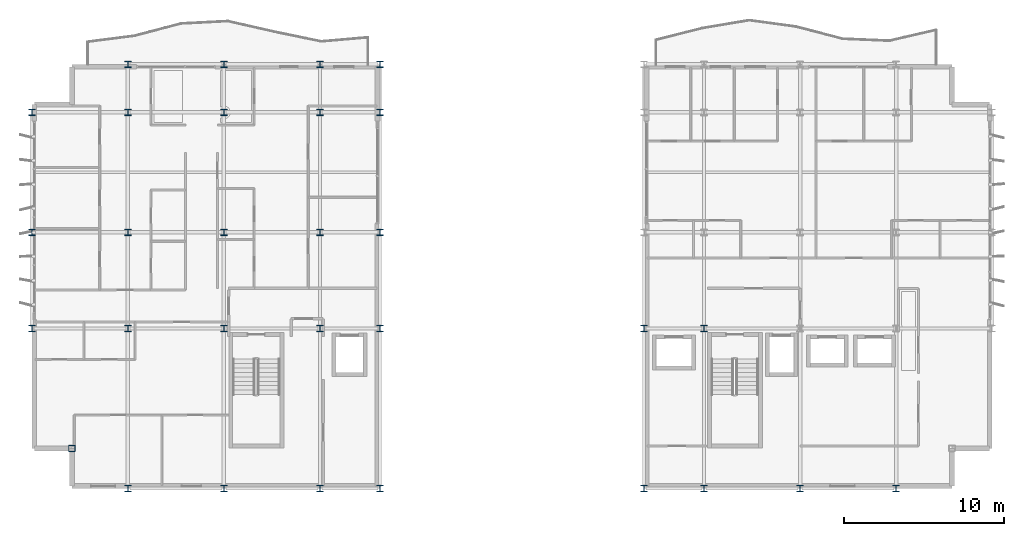
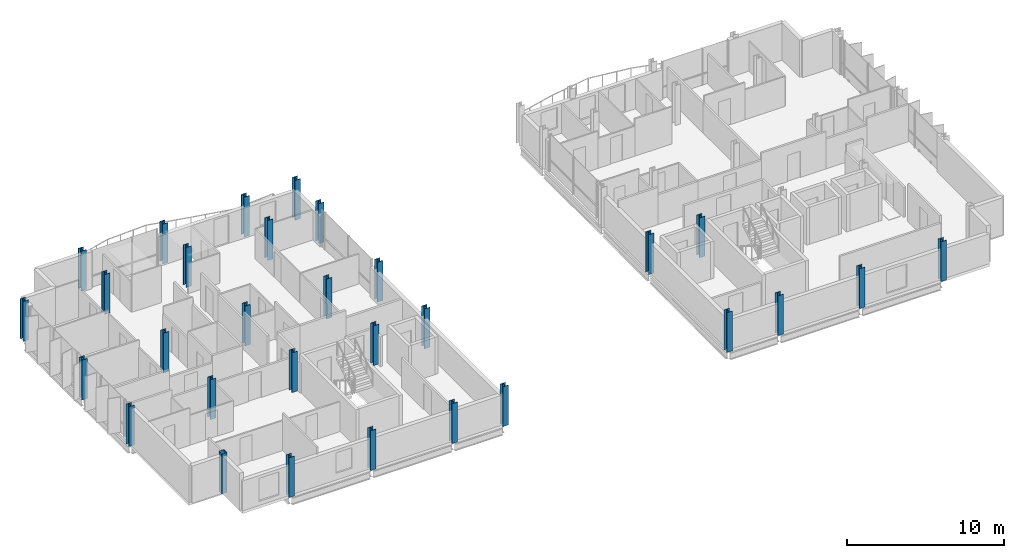
# One storey, part 1 of 28: 30 columns.
"""IFC4 building model written with IfcOpenShell, lengths in metres."""

from ifc_helpers import new_model, si_unit, direction, frame, origin, origin_2d, place, context, subcontext, project, spatial, hollow_rectangle, i_section, extrude, material, material_profile, profile_set, type_object, element, save


model = new_model("IFC4")

# Units and contexts
model_context = context("Model", 3, precision=1e-05, world=origin(), true_north=direction((0.0, 1.0)))
body_context = subcontext(model_context, "Body", "Model", "MODEL_VIEW")
ifc_project = project(units=[si_unit("LENGTHUNIT", "METRE"), si_unit("AREAUNIT", "SQUARE_METRE"), si_unit("VOLUMEUNIT", "CUBIC_METRE"), si_unit("PLANEANGLEUNIT", "RADIAN"), si_unit("MASSUNIT", "GRAM", prefix="KILO")], contexts=[model_context])

# Site, building, storey
site_placement = place(None, origin())
site = spatial("IfcSite", under=ifc_project, at=site_placement, CompositionType="ELEMENT")
building_placement = place(site_placement, origin())
building = spatial("IfcBuilding", under=site, at=building_placement, Name="Brevholm Reach", CompositionType="ELEMENT")
storey_placement = place(building_placement, frame((0.0, 0.0, 192.5)))
storey = spatial("IfcBuildingStorey", under=building, at=storey_placement, Name="L58", CompositionType="ELEMENT", Elevation=192.5)

# Columns
ifc_material_1 = material(Name="Structural Steel S460NH", Category="steel")
ifc_material_profile_1 = material_profile(ifc_material_1, hollow_rectangle(XDim=0.39990234375, YDim=0.39990234375, WallThickness=0.02001953125, InnerFilletRadius=0.011962890625, OuterFilletRadius=0.02392578125, at=origin_2d()), Name="SHS 400x400x20")
ifc_profile_set_1 = profile_set([ifc_material_profile_1], Name="Structural Steel S460NH")
column_type_1 = type_object("IfcColumnType", Name="COL-SHS2", PredefinedType="COLUMN", material=ifc_profile_set_1)
column_placement = place(storey_placement, frame((2.5, 2.5, 0.0), z_axis=(0.0, 0.0, 1.0), x_axis=(1.0, 0.0, 0.0)))
element("IfcColumn", 1, at=column_placement, inside=storey, type_object=column_type_1, Name="L58 Column 04", PredefinedType="COLUMN", context=body_context, shape_type="SweptSolid", body=[
    extrude(hollow_rectangle(XDim=0.39990234375, YDim=0.39990234375, WallThickness=0.02001953125, InnerFilletRadius=0.011962890625, OuterFilletRadius=0.02392578125, at=origin_2d()), origin(), (0.0, 0.0, 1.0), 3.10009765625),
])
ifc_material_2 = material(Name="Structural Steel S355J2", Category="steel")
ifc_material_profile_2 = material_profile(ifc_material_2, i_section(OverallWidth=0.39892578125, OverallDepth=0.3935546875, WebThickness=0.022705078125, FlangeThickness=0.03662109375, FilletRadius=0.01513671875, at=origin_2d()), Name="UKC 356x406x287")
ifc_profile_set_2 = profile_set([ifc_material_profile_2], Name="Structural Steel S355J2")
column_type_2 = type_object("IfcColumnType", Name="COL-UC5B", PredefinedType="COLUMN", material=ifc_profile_set_2)
for number, where, z_axis, x_axis, name in (
    (2, (0.0, 10.0, 0.0), (0.0, 0.0, 1.0), (1.0, 0.0, 0.0), "L58 Column 01"),
    (3, (0.0, 16.0, 0.0), (0.0, 0.0, 1.0), (1.0, 0.0, 0.0), "L58 Column 02"),
    (4, (0.0, 23.5, 0.0), (0.0, 0.0, 1.0), (1.0, 0.0, 0.0), "L58 Column 03"),
    (5, (6.0, 0.0, 0.0), (0.0, 0.0, 1.0), (1.0, 0.0, 0.0), "L58 Column 05"),
    (6, (6.0, 10.0, 0.0), (0.0, 0.0, 1.0), (1.0, 0.0, 0.0), "L58 Column 06"),
    (7, (6.0, 16.0, 0.0), (0.0, 0.0, 1.0), (1.0, 0.0, 0.0), "L58 Column 07"),
    (8, (6.0, 23.5, 0.0), (0.0, 0.0, 1.0), (1.0, 0.0, 0.0), "L58 Column 08"),
    (9, (6.0, 26.5, 0.0), (0.0, 0.0, 1.0), (1.0, 0.0, 0.0), "L58 Column 09"),
    (10, (12.0, 0.0, 0.0), (0.0, 0.0, 1.0), (1.0, 0.0, 0.0), "L58 Column 10"),
    (11, (12.0, 10.0, 0.0), (0.0, 0.0, 1.0), (1.0, 0.0, 0.0), "L58 Column 11"),
    (12, (12.0, 16.0, 0.0), (0.0, 0.0, 1.0), (1.0, 0.0, 0.0), "L58 Column 12"),
    (13, (12.0, 23.5, 0.0), (0.0, 0.0, 1.0), (1.0, 0.0, 0.0), "L58 Column 13"),
    (14, (12.0, 26.5, 0.0), (0.0, 0.0, 1.0), (1.0, 0.0, 0.0), "L58 Column 14"),
    (15, (18.0, 0.0, 0.0), (0.0, 0.0, 1.0), (1.0, 0.0, 0.0), "L58 Column 15"),
    (16, (18.0, 10.0, 0.0), (0.0, 0.0, 1.0), (1.0, 0.0, 0.0), "L58 Column 16"),
    (17, (18.0, 16.0, 0.0), (0.0, 0.0, 1.0), (1.0, 0.0, 0.0), "L58 Column 17"),
    (18, (18.0, 23.5, 0.0), (0.0, 0.0, 1.0), (1.0, 0.0, 0.0), "L58 Column 18"),
    (19, (18.0, 26.5, 0.0), (0.0, 0.0, 1.0), (1.0, 0.0, 0.0), "L58 Column 19"),
    (20, (21.75, 0.0, 0.0), (0.0, 0.0, 1.0), (1.0, 0.0, 0.0), "L58 Column 20"),
    (21, (21.75, 10.0, 0.0), (0.0, 0.0, 1.0), (1.0, 0.0, 0.0), "L58 Column 21"),
    (22, (21.75, 16.0, 0.0), (0.0, 0.0, 1.0), (1.0, 0.0, 0.0), "L58 Column 22"),
    (23, (21.75, 23.5, 0.0), (0.0, 0.0, 1.0), (1.0, 0.0, 0.0), "L58 Column 23"),
    (24, (21.75, 26.5, 0.0), (0.0, 0.0, 1.0), (1.0, 0.0, 0.0), "L58 Column 24"),
    (25, (38.25, 0.0, 0.0), (0.0, 0.0, 1.0), (1.0, 0.0, 0.0), "L58 Column 25"),
    (26, (38.25, 10.0, 0.0), (0.0, 0.0, 1.0), (1.0, 0.0, 0.0), "L58 Column 26"),
    (27, (42.0, 0.0, 0.0), (0.0, 0.0, 1.0), (1.0, 0.0, 0.0), "L58 Column 30"),
    (28, (42.0, 10.0, 0.0), (0.0, 0.0, 1.0), (1.0, 0.0, 0.0), "L58 Column 31"),
    (29, (48.0, 0.0, 0.0), (0.0, 0.0, 1.0), (1.0, 0.0, 0.0), "L58 Column 35"),
    (30, (54.0, 0.0, 0.0), (0.0, 0.0, 1.0), (1.0, 0.0, 0.0), "L58 Column 40"),
):
    element("IfcColumn", number, at=place(storey_placement, frame(where, z_axis=z_axis, x_axis=x_axis)), inside=storey, type_object=column_type_2, Name=name, PredefinedType="COLUMN", context=body_context, shape_type="SweptSolid", body=[
        extrude(i_section(OverallWidth=0.39892578125, OverallDepth=0.3935546875, WebThickness=0.022705078125, FlangeThickness=0.03662109375, FilletRadius=0.01513671875, at=origin_2d()), origin(), (0.0, 0.0, 1.0), 3.10009765625),
    ])

save(model, "model.ifc")
